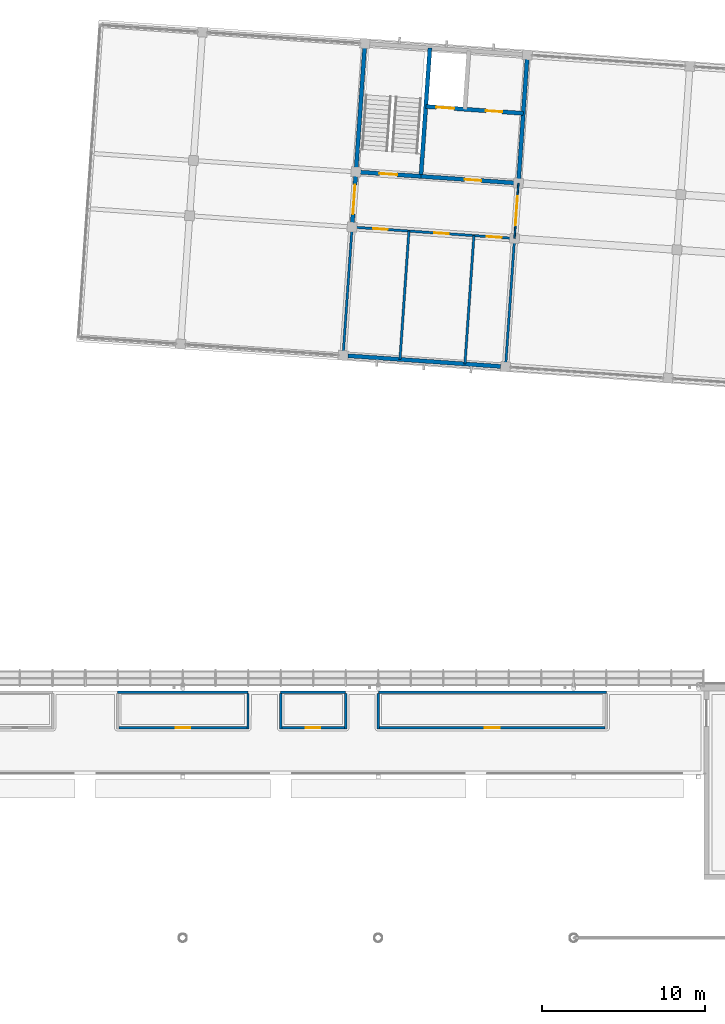
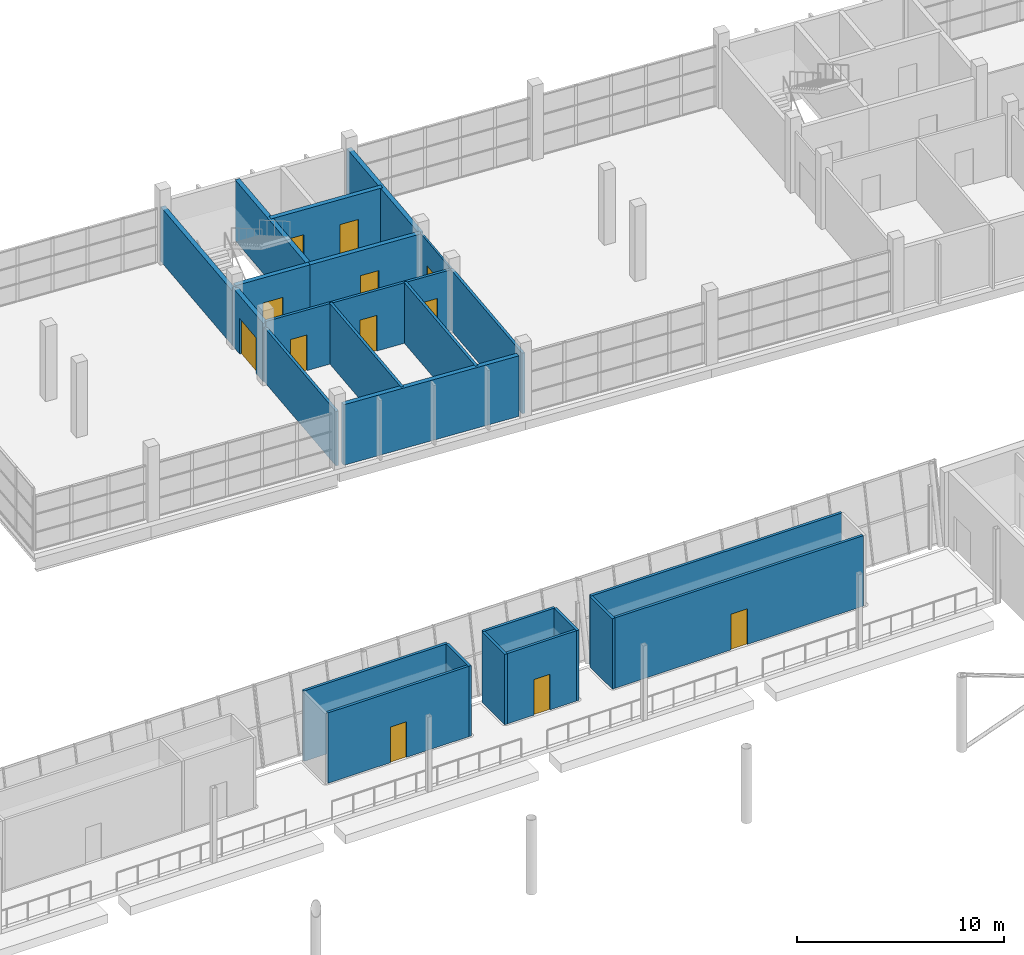
# One storey, part 73 of 115: 24 walls, 12 doors, 12 openings.
"""IFC4 building model written with IfcOpenShell, lengths in metres."""

from ifc_helpers import new_model, si_unit, direction, frame, frame_2d, origin, place, context, subcontext, project, spatial, rectangle, extrude, material, layer, layer_set, type_object, element, fill, save


model = new_model("IFC4")

# Units and contexts
model_context = context("Model", 3, precision=1e-05, world=origin(), true_north=direction((0.0, 1.0)))
body_context = subcontext(model_context, "Body", "Model", "MODEL_VIEW")
ifc_project = project(units=[si_unit("LENGTHUNIT", "METRE"), si_unit("AREAUNIT", "SQUARE_METRE"), si_unit("VOLUMEUNIT", "CUBIC_METRE"), si_unit("PLANEANGLEUNIT", "RADIAN"), si_unit("MASSUNIT", "GRAM", prefix="KILO")], contexts=[model_context])

# Site, building, storey
site_placement = place(None, origin())
site = spatial("IfcSite", under=ifc_project, at=site_placement, CompositionType="ELEMENT")
building_placement = place(site_placement, origin())
building = spatial("IfcBuilding", under=site, at=building_placement, Name="Windward Yard Aquatics Centre", CompositionType="ELEMENT")
storey_placement = place(building_placement, frame((0.0, 0.0, 5.0)))
storey = spatial("IfcBuildingStorey", under=building, at=storey_placement, Name="L01", CompositionType="ELEMENT", Elevation=5.0)

# Wall, opening, door
ifc_material_1 = material(Name="Blockwork 150 mm", Category="masonry")
ifc_layer_1 = layer(ifc_material_1, 0.14990234375)
ifc_layer_set_1 = layer_set([ifc_layer_1], Name="H Partition Blockwork 150")
wall_type_1 = type_object("IfcWallType", Name="H Partition Blockwork 150", PredefinedType="PARTITIONING", material=ifc_layer_set_1)
wall_1_placement = place(storey_placement, frame((104.074951171875, 93.300048828125, 0.0), z_axis=(0.0, 0.0, 1.0), x_axis=(1.0, 0.0, 0.0)))
wall_1 = element("IfcWall", 1, at=wall_1_placement, inside=storey, type_object=wall_type_1, Name="L01 partition Kiosk", PredefinedType="PARTITIONING", context=body_context, shape_type="SweptSolid", body=[
    extrude(rectangle(XDim=7.85009765625, YDim=0.14990234375, at=frame_2d((3.925048828125, 0.0))), origin(), (0.0, 0.0, 1.0), 4.14990234375),
])
opening_1_placement = place(wall_1_placement, frame((3.47509765625, 0.0, 0.0)))
opening_1 = element("IfcOpeningElement", 2, at=opening_1_placement, cuts=wall_1, Name="Opening H1035", PredefinedType="OPENING", context=body_context, shape_type="SweptSolid", body=[
    extrude(rectangle(XDim=0.89990234375, YDim=2.10009765625, at=frame_2d((0.449951171875, 1.050048828125))), frame((0.0, 0.0849609375, 0.0), z_axis=(0.0, -1.0, 0.0), x_axis=(1.0, 0.0, 0.0)), (0.0, 0.0, 1.0), 0.169921875),
])
ifc_material_2 = material(Name="Timber door leaf", Category="wood")
door_type_1 = type_object("IfcDoorType", Name="H Door Single 900 x 2100 Not rated", OperationType="NOTDEFINED", PredefinedType="DOOR", material=ifc_material_2)
door_1_placement = place(opening_1_placement, origin())
door_1 = element("IfcDoor", 3, at=door_1_placement, inside=storey, type_object=door_type_1, Name="L01 Kiosk door", OperationType="SINGLE_SWING_LEFT", OverallHeight=2.10009765625, OverallWidth=0.89990234375, PredefinedType="DOOR", context=body_context, shape_type="SweptSolid", body=[
    extrude(rectangle(XDim=0.89990234375, YDim=2.10009765625, at=frame_2d((0.449951171875, 1.050048828125))), frame((0.0, 0.02490234375, 0.0), z_axis=(0.0, -1.0, 0.0), x_axis=(1.0, 0.0, 0.0)), (0.0, 0.0, 1.0), 0.050048828125),
])
fill(opening_1, door_1)

# Walls
wall_2_placement = place(storey_placement, frame((112.0, 95.39990234375, 0.0), z_axis=(0.0, 0.0, 1.0), x_axis=(0.0, -1.0, 0.0)))
element("IfcWall", 4, at=wall_2_placement, inside=storey, type_object=wall_type_1, Name="L01 partition Kiosk", PredefinedType="PARTITIONING", context=body_context, shape_type="SweptSolid", body=[
    extrude(rectangle(XDim=2.1748046875, YDim=0.14990234375, at=frame_2d((1.08740234375, 0.0))), origin(), (0.0, 0.0, 1.0), 4.14990234375),
])
wall_3_placement = place(storey_placement, frame((104.0, 95.47509765625, 0.0), z_axis=(0.0, 0.0, 1.0), x_axis=(1.0, 0.0, 0.0)))
element("IfcWall", 5, at=wall_3_placement, inside=storey, type_object=wall_type_1, Name="L01 wall Kiosk", PredefinedType="PARTITIONING", context=body_context, shape_type="SweptSolid", body=[
    extrude(rectangle(XDim=8.0, YDim=0.14990234375, at=frame_2d((4.0, 0.0))), origin(), (0.0, 0.0, 1.0), 4.14990234375),
])

# Wall, opening, door
wall_4_placement = place(storey_placement, frame((114.074951171875, 93.300048828125, 0.0), z_axis=(0.0, 0.0, 1.0), x_axis=(1.0, 0.0, 0.0)))
wall_4 = element("IfcWall", 6, at=wall_4_placement, inside=storey, type_object=wall_type_1, Name="L01 partition Cleaner's Store", PredefinedType="PARTITIONING", context=body_context, shape_type="SweptSolid", body=[
    extrude(rectangle(XDim=3.85009765625, YDim=0.14990234375, at=frame_2d((1.925048828125, 0.0))), origin(), (0.0, 0.0, 1.0), 4.14990234375),
])
opening_2_placement = place(wall_4_placement, frame((1.47509765625, 0.0, 0.0)))
opening_2 = element("IfcOpeningElement", 7, at=opening_2_placement, cuts=wall_4, Name="Opening H1036", PredefinedType="OPENING", context=body_context, shape_type="SweptSolid", body=[
    extrude(rectangle(XDim=0.89990234375, YDim=2.10009765625, at=frame_2d((0.449951171875, 1.050048828125))), frame((0.0, 0.0849609375, 0.0), z_axis=(0.0, -1.0, 0.0), x_axis=(1.0, 0.0, 0.0)), (0.0, 0.0, 1.0), 0.169921875),
])
door_2_placement = place(opening_2_placement, origin())
door_2 = element("IfcDoor", 8, at=door_2_placement, inside=storey, type_object=door_type_1, Name="L01 Cleaner's Store door", OperationType="SINGLE_SWING_RIGHT", OverallHeight=2.10009765625, OverallWidth=0.89990234375, PredefinedType="DOOR", context=body_context, shape_type="SweptSolid", body=[
    extrude(rectangle(XDim=0.89990234375, YDim=2.10009765625, at=frame_2d((0.449951171875, 1.050048828125))), frame((0.0, 0.02490234375, 0.0), z_axis=(0.0, -1.0, 0.0), x_axis=(1.0, 0.0, 0.0)), (0.0, 0.0, 1.0), 0.050048828125),
])
fill(opening_2, door_2)

# Walls
for number, where, z_axis, x_axis, name in (
    (9, (114.0, 95.39990234375, 0.0), (0.0, 0.0, 1.0), (0.0, -1.0, 0.0), "L01 partition Cleaner's Store"),
    (10, (118.0, 95.39990234375, 0.0), (0.0, 0.0, 1.0), (0.0, -1.0, 0.0), "L01 partition Cleaner's Store"),
):
    element("IfcWall", number, at=place(storey_placement, frame(where, z_axis=z_axis, x_axis=x_axis)), inside=storey, type_object=wall_type_1, Name=name, PredefinedType="PARTITIONING", context=body_context, shape_type="SweptSolid", body=[
        extrude(rectangle(XDim=2.1748046875, YDim=0.14990234375, at=frame_2d((1.08740234375, 0.0))), origin(), (0.0, 0.0, 1.0), 4.14990234375),
    ])
wall_5_placement = place(storey_placement, frame((114.0, 95.47509765625, 0.0), z_axis=(0.0, 0.0, 1.0), x_axis=(1.0, 0.0, 0.0)))
element("IfcWall", 11, at=wall_5_placement, inside=storey, type_object=wall_type_1, Name="L01 wall Cleaner's Store", PredefinedType="PARTITIONING", context=body_context, shape_type="SweptSolid", body=[
    extrude(rectangle(XDim=4.0, YDim=0.14990234375, at=frame_2d((2.0, 0.0))), origin(), (0.0, 0.0, 1.0), 4.14990234375),
])

# Wall, opening, door
wall_6_placement = place(storey_placement, frame((120.074951171875, 93.300048828125, 0.0), z_axis=(0.0, 0.0, 1.0), x_axis=(1.0, 0.0, 0.0)))
wall_6 = element("IfcWall", 12, at=wall_6_placement, inside=storey, type_object=wall_type_1, Name="L01 partition Cafe Counter", PredefinedType="PARTITIONING", context=body_context, shape_type="SweptSolid", body=[
    extrude(rectangle(XDim=13.85009765625, YDim=0.14990234375, at=frame_2d((6.925048828125, 0.0))), origin(), (0.0, 0.0, 1.0), 4.14990234375),
])
opening_3_placement = place(wall_6_placement, frame((6.47509765625, 0.0, 0.0)))
opening_3 = element("IfcOpeningElement", 13, at=opening_3_placement, cuts=wall_6, Name="Opening H1037", PredefinedType="OPENING", context=body_context, shape_type="SweptSolid", body=[
    extrude(rectangle(XDim=0.89990234375, YDim=2.10009765625, at=frame_2d((0.449951171875, 1.050048828125))), frame((0.0, 0.0849609375, 0.0), z_axis=(0.0, -1.0, 0.0), x_axis=(1.0, 0.0, 0.0)), (0.0, 0.0, 1.0), 0.169921875),
])
door_3_placement = place(opening_3_placement, origin())
door_3 = element("IfcDoor", 14, at=door_3_placement, inside=storey, type_object=door_type_1, Name="L01 Cafe Counter door", OperationType="SINGLE_SWING_LEFT", OverallHeight=2.10009765625, OverallWidth=0.89990234375, PredefinedType="DOOR", context=body_context, shape_type="SweptSolid", body=[
    extrude(rectangle(XDim=0.89990234375, YDim=2.10009765625, at=frame_2d((0.449951171875, 1.050048828125))), frame((0.0, 0.02490234375, 0.0), z_axis=(0.0, -1.0, 0.0), x_axis=(1.0, 0.0, 0.0)), (0.0, 0.0, 1.0), 0.050048828125),
])
fill(opening_3, door_3)

# Walls
wall_7_placement = place(storey_placement, frame((120.0, 95.39990234375, 0.0), z_axis=(0.0, 0.0, 1.0), x_axis=(0.0, -1.0, 0.0)))
element("IfcWall", 15, at=wall_7_placement, inside=storey, type_object=wall_type_1, Name="L01 partition Cafe Counter", PredefinedType="PARTITIONING", context=body_context, shape_type="SweptSolid", body=[
    extrude(rectangle(XDim=2.1748046875, YDim=0.14990234375, at=frame_2d((1.08740234375, 0.0))), origin(), (0.0, 0.0, 1.0), 4.14990234375),
])
wall_8_placement = place(storey_placement, frame((120.0, 95.47509765625, 0.0), z_axis=(0.0, 0.0, 1.0), x_axis=(1.0, 0.0, 0.0)))
element("IfcWall", 16, at=wall_8_placement, inside=storey, type_object=wall_type_1, Name="L01 wall Cafe Counter", PredefinedType="PARTITIONING", context=body_context, shape_type="SweptSolid", body=[
    extrude(rectangle(XDim=14.0, YDim=0.14990234375, at=frame_2d((7.0, 0.0))), origin(), (0.0, 0.0, 1.0), 4.14990234375),
])

# Wall, opening, door
ifc_material_3 = material(Name="Concrete C40/50", Category="concrete")
ifc_layer_2 = layer(ifc_material_3, 0.25)
ifc_layer_set_2 = layer_set([ifc_layer_2], Name="W RC core wall 250 Concrete C40/50")
wall_type_2 = type_object("IfcWallType", Name="W RC core wall 250 Concrete C40/50", PredefinedType="SOLIDWALL", material=ifc_layer_set_2)
wall_9_placement = place(storey_placement, frame((118.389892578125, 124.04833984375, 0.0), z_axis=(0.0, 0.0, 1.0), x_axis=(0.069797686069, 0.997561167558, 0.0)))
wall_9 = element("IfcWall", 17, at=wall_9_placement, inside=storey, type_object=wall_type_2, Name="W.WL.L01.002", PredefinedType="PARTITIONING", context=body_context, shape_type="SweptSolid", body=[
    extrude(rectangle(XDim=3.39990234375, YDim=0.25, at=frame_2d((1.699951171875, 0.0))), origin(), (0.0, 0.0, 1.0), 3.44189453125),
])
opening_4_placement = place(wall_9_placement, frame((0.800048828125, 0.0, 0.0)))
opening_4 = element("IfcOpeningElement", 18, at=opening_4_placement, cuts=wall_9, Name="Opening W1001", PredefinedType="OPENING", context=body_context, shape_type="SweptSolid", body=[
    extrude(rectangle(XDim=1.800048828125, YDim=2.10009765625, at=frame_2d((0.89990234375, 1.050048828125))), frame((0.0, 0.135009765625, 0.0), z_axis=(0.0, -1.0, 0.0), x_axis=(1.0, 0.0, 0.0)), (0.0, 0.0, 1.0), 0.27001953125),
])
door_type_2 = type_object("IfcDoorType", Name="W double door 1800x2100", OperationType="DOUBLE_DOOR_SINGLE_SWING", PredefinedType="DOOR", material=ifc_material_2)
door_4_placement = place(opening_4_placement, origin())
door_4 = element("IfcDoor", 19, at=door_4_placement, inside=storey, type_object=door_type_2, Name="W.DRI.L01.001", OperationType="DOUBLE_DOOR_SINGLE_SWING", OverallHeight=2.10009765625, OverallWidth=1.800048828125, PredefinedType="DOOR", context=body_context, shape_type="SweptSolid", body=[
    extrude(rectangle(XDim=1.800048828125, YDim=2.10009765625, at=frame_2d((0.89990234375, 1.050048828125))), frame((0.0, 0.02490234375, 0.0), z_axis=(0.0, -1.0, 0.0), x_axis=(1.0, 0.0, 0.0)), (0.0, 0.0, 1.0), 0.050048828125),
])
fill(opening_4, door_4)

# Walls
wall_10_placement = place(storey_placement, frame((118.627197265625, 127.43994140625, 0.0), z_axis=(0.0, 0.0, 1.0), x_axis=(0.0697491702, 0.997564560947, 0.0)))
element("IfcWall", 20, at=wall_10_placement, inside=storey, type_object=wall_type_2, Name="W.WL.L01.003", PredefinedType="SOLIDWALL", context=body_context, shape_type="SweptSolid", body=[
    extrude(rectangle(XDim=7.900146484375, YDim=0.25, at=frame_2d((3.9501953125, 0.0))), origin(), (0.0, 0.0, 1.0), 3.2060546875),
])
for number, where, z_axis, x_axis, name in (
    (21, (122.617431640625, 127.160888671875, 0.0), (0.0, 0.0, 1.0), (0.0697491702, 0.997564560947, 0.0), "W.WL.L01.005"),
    (22, (128.602783203125, 126.742431640625, 0.0), (0.0, 0.0, 1.0), (0.0697491702, 0.997564560947, 0.0), "W.WL.L01.010"),
):
    element("IfcWall", number, at=place(storey_placement, frame(where, z_axis=z_axis, x_axis=x_axis)), inside=storey, type_object=wall_type_2, Name=name, PredefinedType="SOLIDWALL", context=body_context, shape_type="SweptSolid", body=[
        extrude(rectangle(XDim=7.900146484375, YDim=0.25, at=frame_2d((3.9501953125, 0.0))), origin(), (0.0, 0.0, 1.0), 3.570068359375),
    ])

# Wall, opening, door
wall_11_placement = place(storey_placement, frame((118.627197265625, 127.43994140625, 0.0), z_axis=(0.0, 0.0, 1.0), x_axis=(0.997563556766, -0.069763530677, 0.0)))
wall_11 = element("IfcWall", 23, at=wall_11_placement, inside=storey, type_object=wall_type_2, Name="W.WL.L01.022", PredefinedType="SOLIDWALL", context=body_context, shape_type="SweptSolid", body=[
    extrude(rectangle(XDim=4.0, YDim=0.25, at=frame_2d((2.0, 0.0))), origin(), (0.0, 0.0, 1.0), 3.570068359375),
])
opening_5_placement = place(wall_11_placement, frame((1.449951171875, 0.0, 0.0)))
opening_5 = element("IfcOpeningElement", 24, at=opening_5_placement, cuts=wall_11, Name="Opening W1011", PredefinedType="OPENING", context=body_context, shape_type="SweptSolid", body=[
    extrude(rectangle(XDim=1.10009765625, YDim=2.10009765625, at=frame_2d((0.550048828125, 1.050048828125))), frame((0.0, 0.135009765625, 0.0), z_axis=(0.0, -1.0, 0.0), x_axis=(1.0, 0.0, 0.0)), (0.0, 0.0, 1.0), 0.27001953125),
])
ifc_material_4 = material(Name="Steel fire door leaf", Category="steel")
door_type_3 = type_object("IfcDoorType", Name="W stair door FD60 1100x2100", OperationType="SINGLE_SWING_LEFT", PredefinedType="DOOR", material=ifc_material_4)
door_5_placement = place(opening_5_placement, origin())
door_5 = element("IfcDoor", 25, at=door_5_placement, inside=storey, type_object=door_type_3, Name="W.DRI.L01.011", OperationType="SINGLE_SWING_RIGHT", OverallHeight=2.10009765625, OverallWidth=1.10009765625, PredefinedType="DOOR", context=body_context, shape_type="SweptSolid", body=[
    extrude(rectangle(XDim=1.10009765625, YDim=2.10009765625, at=frame_2d((0.550048828125, 1.050048828125))), frame((0.0, 0.02490234375, 0.0), z_axis=(0.0, -1.0, 0.0), x_axis=(1.0, 0.0, 0.0)), (0.0, 0.0, 1.0), 0.050048828125),
])
fill(opening_5, door_5)

wall_12_placement = place(storey_placement, frame((122.617431640625, 127.160888671875, 0.0), z_axis=(0.0, 0.0, 1.0), x_axis=(0.997564972454, -0.069743284499, 0.0)))
wall_12 = element("IfcWall", 26, at=wall_12_placement, inside=storey, type_object=wall_type_2, Name="W.WL.L01.023", PredefinedType="SOLIDWALL", context=body_context, shape_type="SweptSolid", body=[
    extrude(rectangle(XDim=6.0, YDim=0.25, at=frame_2d((3.0, 0.0))), origin(), (0.0, 0.0, 1.0), 3.570068359375),
])
opening_6_placement = place(wall_12_placement, frame((2.699951171875, 0.0, 0.0)))
opening_6 = element("IfcOpeningElement", 27, at=opening_6_placement, cuts=wall_12, Name="Opening W1012", PredefinedType="OPENING", context=body_context, shape_type="SweptSolid", body=[
    extrude(rectangle(XDim=1.0, YDim=2.10009765625, at=frame_2d((0.5, 1.050048828125))), frame((0.0, 0.135009765625, 0.0), z_axis=(0.0, -1.0, 0.0), x_axis=(1.0, 0.0, 0.0)), (0.0, 0.0, 1.0), 0.27001953125),
])
door_type_4 = type_object("IfcDoorType", Name="W fire door FD60 1000x2100", OperationType="SINGLE_SWING_LEFT", PredefinedType="DOOR", material=ifc_material_4)
door_6_placement = place(opening_6_placement, origin())
door_6 = element("IfcDoor", 28, at=door_6_placement, inside=storey, type_object=door_type_4, Name="W.DRI.L01.012", OperationType="SINGLE_SWING_LEFT", OverallHeight=2.10009765625, OverallWidth=1.0, PredefinedType="DOOR", context=body_context, shape_type="SweptSolid", body=[
    extrude(rectangle(XDim=1.0, YDim=2.10009765625, at=frame_2d((0.5, 1.050048828125))), frame((0.0, 0.02490234375, 0.0), z_axis=(0.0, -1.0, 0.0), x_axis=(1.0, 0.0, 0.0)), (0.0, 0.0, 1.0), 0.050048828125),
])
fill(opening_6, door_6)

# Wall, openings, doors
wall_13_placement = place(storey_placement, frame((122.917236328125, 131.450439453125, 0.0), z_axis=(0.0, 0.0, 1.0), x_axis=(0.997564972454, -0.069743284499, 0.0)))
wall_13 = element("IfcWall", 29, at=wall_13_placement, inside=storey, type_object=wall_type_2, Name="W.WL.L01.027", PredefinedType="SOLIDWALL", context=body_context, shape_type="SweptSolid", body=[
    extrude(rectangle(XDim=6.0, YDim=0.25, at=frame_2d((3.0, 0.0))), origin(), (0.0, 0.0, 1.0), 3.570068359375),
])
opening_7_placement = place(wall_13_placement, frame((3.699951171875, 0.0, 0.0)))
opening_7 = element("IfcOpeningElement", 30, at=opening_7_placement, cuts=wall_13, Name="Opening W1013", PredefinedType="OPENING", context=body_context, shape_type="SweptSolid", body=[
    extrude(rectangle(XDim=1.0, YDim=2.10009765625, at=frame_2d((0.5, 1.050048828125))), frame((0.0, 0.135009765625, 0.0), z_axis=(0.0, -1.0, 0.0), x_axis=(1.0, 0.0, 0.0)), (0.0, 0.0, 1.0), 0.27001953125),
])
opening_8_placement = place(wall_13_placement, frame((0.64990234375, 0.0, 0.0)))
opening_8 = element("IfcOpeningElement", 31, at=opening_8_placement, cuts=wall_13, Name="Opening W1014", PredefinedType="OPENING", context=body_context, shape_type="SweptSolid", body=[
    extrude(rectangle(XDim=1.10009765625, YDim=2.10009765625, at=frame_2d((0.550048828125, 1.050048828125))), frame((0.0, 0.135009765625, 0.0), z_axis=(0.0, -1.0, 0.0), x_axis=(1.0, 0.0, 0.0)), (0.0, 0.0, 1.0), 0.27001953125),
])
door_7_placement = place(opening_7_placement, origin())
door_7 = element("IfcDoor", 32, at=door_7_placement, inside=storey, type_object=door_type_4, Name="W.DRI.L01.013", OperationType="SINGLE_SWING_RIGHT", OverallHeight=2.10009765625, OverallWidth=1.0, PredefinedType="DOOR", context=body_context, shape_type="SweptSolid", body=[
    extrude(rectangle(XDim=1.0, YDim=2.10009765625, at=frame_2d((0.5, 1.050048828125))), frame((0.0, 0.02490234375, 0.0), z_axis=(0.0, -1.0, 0.0), x_axis=(1.0, 0.0, 0.0)), (0.0, 0.0, 1.0), 0.050048828125),
])
fill(opening_7, door_7)
ifc_material_5 = material(Name="Stainless steel sliding door leaf", Category="steel")
door_type_5 = type_object("IfcDoorType", Name="W lift landing door 1100x2100", OperationType="SLIDING_TO_LEFT", PredefinedType="DOOR", material=ifc_material_5)
door_8_placement = place(opening_8_placement, origin())
door_8 = element("IfcDoor", 33, at=door_8_placement, inside=storey, type_object=door_type_5, Name="Landing door W L01", OperationType="SLIDING_TO_LEFT", OverallHeight=2.10009765625, OverallWidth=1.10009765625, PredefinedType="DOOR", context=body_context, shape_type="SweptSolid", body=[
    extrude(rectangle(XDim=1.10009765625, YDim=2.10009765625, at=frame_2d((0.550048828125, 1.050048828125))), frame((0.0, 0.02490234375, 0.0), z_axis=(0.0, -1.0, 0.0), x_axis=(1.0, 0.0, 0.0)), (0.0, 0.0, 1.0), 0.050048828125),
])
fill(opening_8, door_8)

# Wall
ifc_layer_3 = layer(ifc_material_3, 0.25)
ifc_layer_set_3 = layer_set([ifc_layer_3], Name="W facade wall 250 Precast Concrete C40/50")
wall_type_3 = type_object("IfcWallType", Name="W facade wall 250 Precast Concrete C40/50", PredefinedType="SOLIDWALL", material=ifc_layer_set_3)
wall_14_placement = place(storey_placement, frame((118.13818359375, 116.146484375, 0.0), z_axis=(0.0, 0.0, 1.0), x_axis=(0.997565403773, -0.069737114901, 0.0)))
element("IfcWall", 34, at=wall_14_placement, inside=storey, type_object=wall_type_3, Name="W.FW.L01.S.46.8", PredefinedType="SOLIDWALL", context=body_context, shape_type="SweptSolid", body=[
    extrude(rectangle(XDim=9.39990234375, YDim=0.25, at=frame_2d((4.699951171875, 0.0))), origin(), (0.0, 0.0, 1.0), 3.570068359375),
])

# Wall, opening, door
ifc_material_6 = material(Name="Plasterboard on steel stud partition", Category="steel")
ifc_layer_4 = layer(ifc_material_6, 0.10009765625)
ifc_layer_set_4 = layer_set([ifc_layer_4], Name="W partition 100")
wall_type_4 = type_object("IfcWallType", Name="W partition 100", PredefinedType="PARTITIONING", material=ifc_layer_set_4)
wall_15_placement = place(storey_placement, frame((128.365478515625, 123.3505859375, 0.0), z_axis=(0.0, 0.0, 1.0), x_axis=(0.069792686595, 0.99756151735, 0.0)))
wall_15 = element("IfcWall", 35, at=wall_15_placement, inside=storey, type_object=wall_type_4, Name="W.WL.L01.009", PredefinedType="PARTITIONING", context=body_context, shape_type="SweptSolid", body=[
    extrude(rectangle(XDim=3.400146484375, YDim=0.10009765625, at=frame_2d((1.7001953125, 0.0))), origin(), (0.0, 0.0, 1.0), 3.570068359375),
])
opening_9_placement = place(wall_15_placement, frame((0.800048828125, 0.0, 0.0)))
opening_9 = element("IfcOpeningElement", 36, at=opening_9_placement, cuts=wall_15, Name="Opening W1005", PredefinedType="OPENING", context=body_context, shape_type="SweptSolid", body=[
    extrude(rectangle(XDim=1.800048828125, YDim=2.10009765625, at=frame_2d((0.89990234375, 1.050048828125))), frame((0.0, 0.06005859375, 0.0), z_axis=(0.0, -1.0, 0.0), x_axis=(1.0, 0.0, 0.0)), (0.0, 0.0, 1.0), 0.1201171875),
])
door_9_placement = place(opening_9_placement, origin())
door_9 = element("IfcDoor", 37, at=door_9_placement, inside=storey, type_object=door_type_2, Name="W.DRI.L01.005", OperationType="DOUBLE_DOOR_SINGLE_SWING", OverallHeight=2.10009765625, OverallWidth=1.800048828125, PredefinedType="DOOR", context=body_context, shape_type="SweptSolid", body=[
    extrude(rectangle(XDim=1.800048828125, YDim=2.10009765625, at=frame_2d((0.89990234375, 1.050048828125))), frame((0.0, 0.02490234375, 0.0), z_axis=(0.0, -1.0, 0.0), x_axis=(1.0, 0.0, 0.0)), (0.0, 0.0, 1.0), 0.050048828125),
])
fill(opening_9, door_9)

# Walls
ifc_material_7 = material(Name="Blockwork partition with tiled finish", Category="masonry")
ifc_layer_5 = layer(ifc_material_7, 0.14990234375)
ifc_layer_set_5 = layer_set([ifc_layer_5], Name="W partition 150 wet area")
wall_type_5 = type_object("IfcWallType", Name="W partition 150 wet area", PredefinedType="PARTITIONING", material=ifc_layer_set_5)
wall_16_placement = place(storey_placement, frame((117.8388671875, 116.16748046875, 0.0), z_axis=(0.0, 0.0, 1.0), x_axis=(0.0697491702, 0.997564560947, 0.0)))
element("IfcWall", 38, at=wall_16_placement, inside=storey, type_object=wall_type_5, Name="W.WL.L01.001", PredefinedType="PARTITIONING", context=body_context, shape_type="SweptSolid", body=[
    extrude(rectangle(XDim=7.900146484375, YDim=0.14990234375, at=frame_2d((3.9501953125, 0.0))), origin(), (0.0, 0.0, 1.0), 3.2060546875),
])
for number, where, z_axis, x_axis, name in (
    (39, (121.330322265625, 115.92333984375, 0.0), (0.0, 0.0, 1.0), (0.0697491702, 0.997564560947, 0.0), "W.WL.L01.004"),
    (40, (125.320556640625, 115.644287109375, 0.0), (0.0, 0.0, 1.0), (0.0697491702, 0.997564560947, 0.0), "W.WL.L01.007"),
):
    element("IfcWall", number, at=place(storey_placement, frame(where, z_axis=z_axis, x_axis=x_axis)), inside=storey, type_object=wall_type_5, Name=name, PredefinedType="PARTITIONING", context=body_context, shape_type="SweptSolid", body=[
        extrude(rectangle(XDim=7.900146484375, YDim=0.14990234375, at=frame_2d((3.9501953125, 0.0))), origin(), (0.0, 0.0, 1.0), 3.570068359375),
    ])
wall_17_placement = place(storey_placement, frame((127.814453125, 115.469970703125, 0.0), z_axis=(0.0, 0.0, 1.0), x_axis=(0.069751320509, 0.997564410596, 0.0)))
element("IfcWall", 41, at=wall_17_placement, inside=storey, type_object=wall_type_5, Name="W.WL.L01.008", PredefinedType="PARTITIONING", context=body_context, shape_type="SweptSolid", body=[
    extrude(rectangle(XDim=7.89990234375, YDim=0.14990234375, at=frame_2d((3.949951171875, 0.0))), origin(), (0.0, 0.0, 1.0), 3.570068359375),
])

# Wall, openings, doors
wall_18_placement = place(storey_placement, frame((118.389892578125, 124.04833984375, 0.0), z_axis=(0.0, 0.0, 1.0), x_axis=(0.997562707158, -0.069775678342, 0.0)))
wall_18 = element("IfcWall", 42, at=wall_18_placement, inside=storey, type_object=wall_type_5, Name="W.WL.L01.019", PredefinedType="PARTITIONING", context=body_context, shape_type="SweptSolid", body=[
    extrude(rectangle(XDim=10.0, YDim=0.14990234375, at=frame_2d((5.0, 0.0))), origin(), (0.0, 0.0, 1.0), 3.570068359375),
])
opening_10_placement = place(wall_18_placement, frame((1.300048828125, 0.0, 0.0)))
opening_10 = element("IfcOpeningElement", 43, at=opening_10_placement, cuts=wall_18, Name="Opening W1002", PredefinedType="OPENING", context=body_context, shape_type="SweptSolid", body=[
    extrude(rectangle(XDim=0.89990234375, YDim=2.10009765625, at=frame_2d((0.449951171875, 1.050048828125))), frame((0.0, 0.0849609375, 0.0), z_axis=(0.0, -1.0, 0.0), x_axis=(1.0, 0.0, 0.0)), (0.0, 0.0, 1.0), 0.169921875),
])
opening_11_placement = place(wall_18_placement, frame((5.050048828125, 0.0, 0.0)))
opening_11 = element("IfcOpeningElement", 44, at=opening_11_placement, cuts=wall_18, Name="Opening W1003", PredefinedType="OPENING", context=body_context, shape_type="SweptSolid", body=[
    extrude(rectangle(XDim=0.89990234375, YDim=2.10009765625, at=frame_2d((0.449951171875, 1.050048828125))), frame((0.0, 0.0849609375, 0.0), z_axis=(0.0, -1.0, 0.0), x_axis=(1.0, 0.0, 0.0)), (0.0, 0.0, 1.0), 0.169921875),
])
opening_12_placement = place(wall_18_placement, frame((8.300048828125, 0.0, 0.0)))
opening_12 = element("IfcOpeningElement", 45, at=opening_12_placement, cuts=wall_18, Name="Opening W1004", PredefinedType="OPENING", context=body_context, shape_type="SweptSolid", body=[
    extrude(rectangle(XDim=0.89990234375, YDim=2.10009765625, at=frame_2d((0.449951171875, 1.050048828125))), frame((0.0, 0.0849609375, 0.0), z_axis=(0.0, -1.0, 0.0), x_axis=(1.0, 0.0, 0.0)), (0.0, 0.0, 1.0), 0.169921875),
])
door_type_6 = type_object("IfcDoorType", Name="W door 900x2100", OperationType="SINGLE_SWING_LEFT", PredefinedType="DOOR", material=ifc_material_2)
door_10_placement = place(opening_10_placement, origin())
door_10 = element("IfcDoor", 46, at=door_10_placement, inside=storey, type_object=door_type_6, Name="W.DRI.L01.002", OperationType="SINGLE_SWING_LEFT", OverallHeight=2.10009765625, OverallWidth=0.89990234375, PredefinedType="DOOR", context=body_context, shape_type="SweptSolid", body=[
    extrude(rectangle(XDim=0.89990234375, YDim=2.10009765625, at=frame_2d((0.449951171875, 1.050048828125))), frame((0.0, 0.02490234375, 0.0), z_axis=(0.0, -1.0, 0.0), x_axis=(1.0, 0.0, 0.0)), (0.0, 0.0, 1.0), 0.050048828125),
])
fill(opening_10, door_10)
door_11_placement = place(opening_11_placement, origin())
door_11 = element("IfcDoor", 47, at=door_11_placement, inside=storey, type_object=door_type_6, Name="W.DRI.L01.003", OperationType="SINGLE_SWING_RIGHT", OverallHeight=2.10009765625, OverallWidth=0.89990234375, PredefinedType="DOOR", context=body_context, shape_type="SweptSolid", body=[
    extrude(rectangle(XDim=0.89990234375, YDim=2.10009765625, at=frame_2d((0.449951171875, 1.050048828125))), frame((0.0, 0.02490234375, 0.0), z_axis=(0.0, -1.0, 0.0), x_axis=(1.0, 0.0, 0.0)), (0.0, 0.0, 1.0), 0.050048828125),
])
fill(opening_11, door_11)
door_12_placement = place(opening_12_placement, origin())
door_12 = element("IfcDoor", 48, at=door_12_placement, inside=storey, type_object=door_type_6, Name="W.DRI.L01.004", OperationType="SINGLE_SWING_LEFT", OverallHeight=2.10009765625, OverallWidth=0.89990234375, PredefinedType="DOOR", context=body_context, shape_type="SweptSolid", body=[
    extrude(rectangle(XDim=0.89990234375, YDim=2.10009765625, at=frame_2d((0.449951171875, 1.050048828125))), frame((0.0, 0.02490234375, 0.0), z_axis=(0.0, -1.0, 0.0), x_axis=(1.0, 0.0, 0.0)), (0.0, 0.0, 1.0), 0.050048828125),
])
fill(opening_12, door_12)

save(model, "model.ifc")
